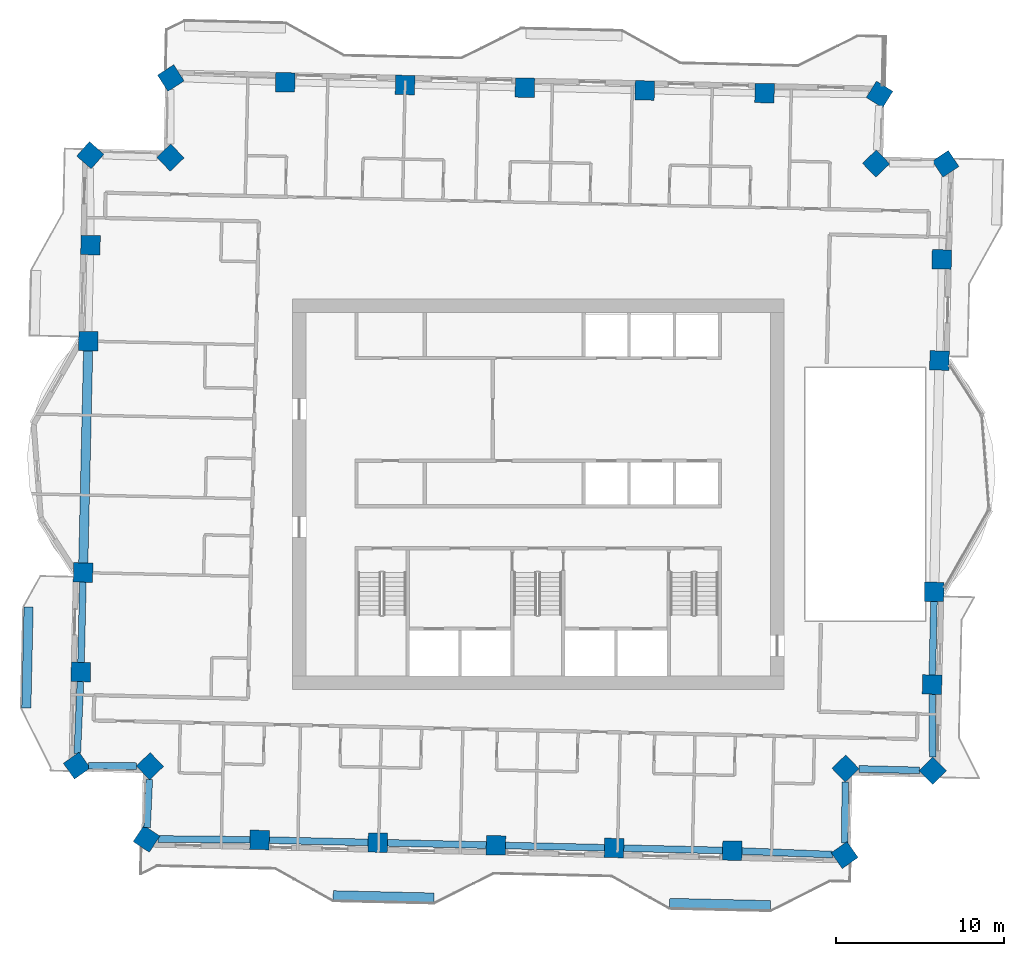
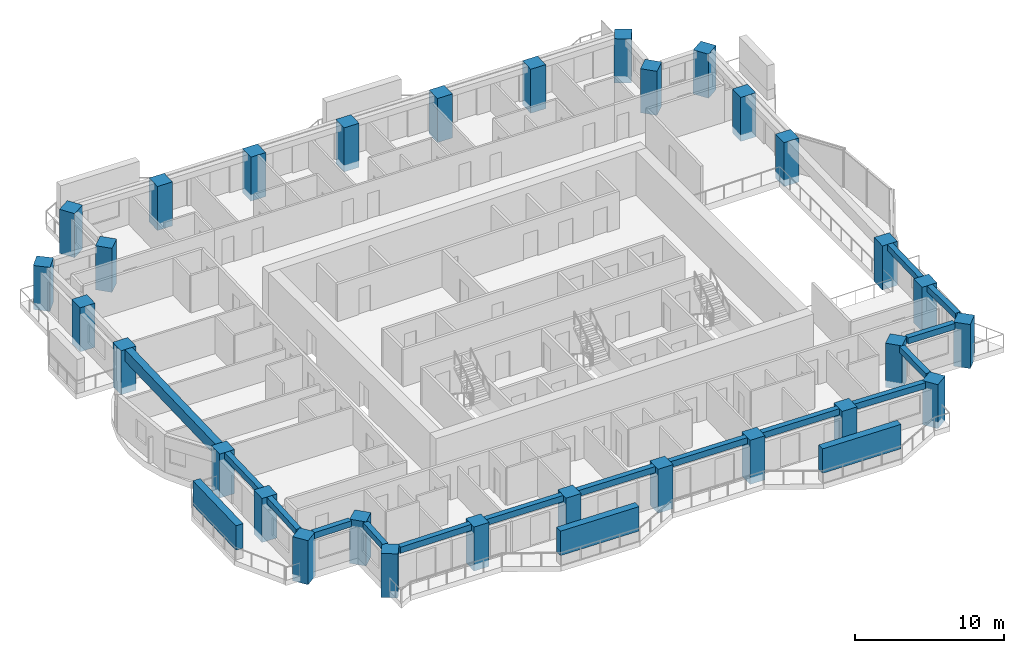
# One storey, part 1 of 16: 30 columns, 15 beams, 3 members.
"""IFC4 building model written with IfcOpenShell, lengths in metres."""

from ifc_helpers import new_model, si_unit, direction, frame, origin, origin_2d, place, context, subcontext, project, spatial, rectangle, extrude, material, material_profile, profile_set, type_object, element, save


model = new_model("IFC4")

# Units and contexts
model_context = context("Model", 3, precision=1e-05, world=origin(), true_north=direction((0.0, 1.0)))
body_context = subcontext(model_context, "Body", "Model", "MODEL_VIEW")
ifc_project = project(units=[si_unit("LENGTHUNIT", "METRE"), si_unit("AREAUNIT", "SQUARE_METRE"), si_unit("VOLUMEUNIT", "CUBIC_METRE"), si_unit("PLANEANGLEUNIT", "RADIAN"), si_unit("MASSUNIT", "GRAM", prefix="KILO")], contexts=[model_context])

# Site, building, storey
site_placement = place(None, origin())
site = spatial("IfcSite", under=ifc_project, at=site_placement, CompositionType="ELEMENT")
building_placement = place(site_placement, origin())
building = spatial("IfcBuilding", under=site, at=building_placement, Name="Mangrove Gate Tower", CompositionType="ELEMENT")
storey_placement = place(building_placement, frame((0.0, 0.0, 197.89990234375)))
storey = spatial("IfcBuildingStorey", under=building, at=storey_placement, Name="L50", CompositionType="ELEMENT", Elevation=197.89990234375)

# Columns
ifc_material_1 = material(Name="Concrete C60/75", Category="concrete")
ifc_material_profile_1 = material_profile(ifc_material_1, rectangle(XDim=1.14990234375, YDim=1.14990234375, at=origin_2d()))
ifc_profile_set_1 = profile_set([ifc_material_profile_1], Name="Concrete C60/75")
column_type = type_object("IfcColumnType", Name="Column RC 1150x1150 C60/75", PredefinedType="COLUMN", material=ifc_profile_set_1)
for number, where, z_axis, x_axis, name in (
    (1, (-27.046142578125, -4.650146484375, -0.5498046875), (0.0, 0.0, 1.0), (-0.02268213383, -0.999742727308, 0.0), "Column L50 W05"),
    (2, (-27.18017578125, -10.56005859375, -0.5498046875), (0.0, 0.0, 1.0), (-0.022750219004, -0.999741180274, 0.0), "Column L50 W06"),
    (3, (-27.4208984375, -16.125244140625, -0.5498046875), (0.0, 0.0, 1.0), (0.578578159923, -0.815626944663, 0.0), "Column L50 W07"),
    (4, (-23.0751953125, -16.16064453125, -0.5498046875), (0.0, 0.0, 1.0), (0.690854032309, -0.722994264183, 0.0), "Column L50 W08"),
    (5, (-23.27490234375, -20.476806640625, -0.5498046875), (0.0, 0.0, 1.0), (0.835228982997, -0.549902305834, 0.0), "Column L50 S01"),
    (6, (-16.554931640625, -20.541259765625, -0.5498046875), (0.0, 0.0, 1.0), (0.999742166043, -0.022706858776, 0.0), "Column L50 S02"),
    (7, (-9.532958984375, -20.701171875, -0.5498046875), (0.0, 0.0, 1.0), (0.999742129581, -0.022708464065, 0.0), "Column L50 S03"),
    (8, (-2.510986328125, -20.860107421875, -0.5498046875), (0.0, 0.0, 1.0), (0.999743742918, -0.022637325283, 0.0), "Column L50 S04"),
    (9, (4.510986328125, -21.01904296875, -0.5498046875), (0.0, 0.0, 1.0), (0.999742129581, -0.022708464065, 0.0), "Column L50 S05"),
    (10, (11.532958984375, -21.17919921875, -0.5498046875), (0.0, 0.0, 1.0), (0.999742166043, -0.022706858776, 0.0), "Column L50 S06"),
    (11, (18.21142578125, -21.443115234375, -0.5498046875), (0.0, 0.0, 1.0), (0.817005906944, 0.576629298612, 0.0), "Column L50 S07"),
    (12, (18.263671875, -16.29833984375, -0.5498046875), (0.0, 0.0, 1.0), (0.722904645442, 0.690947808158, 0.0), "Column L50 E01"),
    (13, (23.44970703125, -16.427978515625, -0.5498046875), (0.0, 0.0, 1.0), (0.702472771276, 0.711710619294, 0.0), "Column L50 E02"),
    (14, (23.4091796875, -11.307861328125, -0.5498046875), (0.0, 0.0, 1.0), (0.022678138054, 0.999742817956, 0.0), "Column L50 E03"),
    (15, (23.5341796875, -5.7978515625, -0.5498046875), (0.0, 0.0, 1.0), (0.022686024913, 0.999742639019, 0.0), "Column L50 E04"),
    (16, (23.84619140625, 7.949951171875, -0.5498046875), (0.0, 0.0, 1.0), (0.022719107826, 0.999741887759, 0.0), "Column L50 E05"),
    (17, (23.983154296875, 13.9599609375, -0.5498046875), (0.0, 0.0, 1.0), (0.022704398496, 0.99974222192, 0.0), "Column L50 E06"),
    (18, (24.21533203125, 19.639404296875, -0.5498046875), (0.0, 0.0, 1.0), (-0.553976303186, 0.832532435109, 0.0), "Column L50 E07"),
    (19, (20.079345703125, 19.65576171875, -0.5498046875), (0.0, 0.0, 1.0), (-0.69093208713, 0.722919671176, 0.0), "Column L50 E08"),
    (20, (20.286865234375, 23.763427734375, -0.5498046875), (0.0, 0.0, 1.0), (-0.849671924518, 0.527311692157, 0.0), "Column L50 N01"),
    (21, (13.454833984375, 23.839111328125, -0.5498046875), (0.0, 0.0, 1.0), (-0.999741400599, 0.022740534932, 0.0), "Column L50 N02"),
    (22, (6.3330078125, 24.001220703125, -0.5498046875), (0.0, 0.0, 1.0), (-0.999742993665, 0.022670390785, 0.0), "Column L50 N03"),
    (23, (-0.7890625, 24.162109375, -0.5498046875), (0.0, 0.0, 1.0), (-0.999742993665, 0.022670390785, 0.0), "Column L50 N04"),
    (24, (-7.9111328125, 24.32421875, -0.5498046875), (0.0, 0.0, 1.0), (-0.999742993665, 0.022670390785, 0.0), "Column L50 N05"),
    (25, (-15.032958984375, 24.485107421875, -0.5498046875), (0.0, 0.0, 1.0), (-0.999742993665, 0.022670390785, 0.0), "Column L50 N06"),
    (26, (-21.83154296875, 24.738037109375, -0.5498046875), (0.0, 0.0, 1.0), (-0.841786903105, -0.539809975603, 0.0), "Column L50 N07"),
    (27, (-21.853759765625, 20.00732421875, -0.5498046875), (0.0, 0.0, 1.0), (-0.722980880026, -0.690868038859, 0.0), "Column L50 W01"),
    (28, (-26.618408203125, 20.152099609375, -0.5498046875), (0.0, 0.0, 1.0), (-0.660570488369, -0.750764030769, 0.0), "Column L50 W02"),
    (29, (-26.605224609375, 14.807861328125, -0.5498046875), (0.0, 0.0, 1.0), (-0.022671699445, -0.999742963988, 0.0), "Column L50 W03"),
    (30, (-26.734130859375, 9.097900390625, -0.5498046875), (0.0, 0.0, 1.0), (-0.022658386004, -0.999743265816, 0.0), "Column L50 W04"),
):
    element("IfcColumn", number, at=place(storey_placement, frame(where, z_axis=z_axis, x_axis=x_axis)), inside=storey, type_object=column_type, Name=name, PredefinedType="COLUMN", context=body_context, shape_type="SweptSolid", body=[
        extrude(rectangle(XDim=1.14990234375, YDim=1.14990234375, at=origin_2d()), origin(), (0.0, 0.0, 1.0), 3.599853515625),
    ])

# Members
ifc_material_2 = material(Name="Planting on aluminium trellis", Category="aluminium")
ifc_material_profile_2 = material_profile(ifc_material_2, rectangle(XDim=0.550048828125, YDim=2.0, at=origin_2d()))
ifc_profile_set_2 = profile_set([ifc_material_profile_2], Name="Planting on aluminium trellis")
member_type = type_object("IfcMemberType", Name="Balcony greenery screen 550x2000", PredefinedType="USERDEFINED", material=ifc_profile_set_2)
member_1_placement = place(storey_placement, frame((-30.419921875, -12.699951171875, 1.800048828125), z_axis=(0.022662255828, 0.999743178102, 0.0), x_axis=(-0.999743178102, 0.022662255828, 0.0)))
element("IfcMember", 31, at=member_1_placement, inside=storey, type_object=member_type, Name="GREEN SCREEN L50 W1.1", ObjectType="PLANTING", PredefinedType="USERDEFINED", context=body_context, shape_type="SweptSolid", body=[
    extrude(rectangle(XDim=0.550048828125, YDim=2.0, at=origin_2d()), origin(), (0.0, 0.0, 1.0), 6.00048828125),
])
member_2_placement = place(storey_placement, frame((-12.180908203125, -23.8310546875, 1.800048828125), z_axis=(0.999739371644, -0.02282955947, 0.0), x_axis=(0.02282955947, 0.999739371644, 0.0)))
element("IfcMember", 32, at=member_2_placement, inside=storey, type_object=member_type, Name="GREEN SCREEN L50 S0.1", ObjectType="PLANTING", PredefinedType="USERDEFINED", context=body_context, shape_type="SweptSolid", body=[
    extrude(rectangle(XDim=0.550048828125, YDim=2.0, at=origin_2d()), origin(), (0.0, 0.0, 1.0), 5.999267578125),
])
member_3_placement = place(storey_placement, frame((7.81396484375, -24.284912109375, 1.800048828125), z_axis=(0.999743094499, -0.022665943652, 0.0), x_axis=(0.022665943652, 0.999743094499, 0.0)))
element("IfcMember", 33, at=member_3_placement, inside=storey, type_object=member_type, Name="GREEN SCREEN L50 S1.1", ObjectType="PLANTING", PredefinedType="USERDEFINED", context=body_context, shape_type="SweptSolid", body=[
    extrude(rectangle(XDim=0.550048828125, YDim=2.0, at=origin_2d()), origin(), (0.0, 0.0, 1.0), 5.99951171875),
])

# Beams
ifc_material_3 = material(Name="Concrete C50/60", Category="concrete")
ifc_material_profile_3 = material_profile(ifc_material_3, rectangle(XDim=0.39990234375, YDim=0.5, at=origin_2d()))
ifc_profile_set_3 = profile_set([ifc_material_profile_3], Name="Concrete C50/60")
beam_type_1 = type_object("IfcBeamType", Name="Edge beam RC 400x500 C50/60", PredefinedType="BEAM", material=ifc_profile_set_3)
beam_1_placement = place(storey_placement, frame((-27.05908203125, -5.224853515625, 2.800048828125), z_axis=(-0.022714417043, -0.999741994346, 0.0), x_axis=(0.999741994346, -0.022714417043, 0.0)))
element("IfcBeam", 34, at=beam_1_placement, inside=storey, type_object=beam_type_1, Name="Edge beam L50 00", PredefinedType="BEAM", context=body_context, shape_type="SweptSolid", body=[
    extrude(rectangle(XDim=0.39990234375, YDim=0.5, at=origin_2d()), origin(), (0.0, 0.0, 1.0), 4.761474609375),
])
beam_2_placement = place(storey_placement, frame((-27.205078125, -11.134765625, 2.800048828125), z_axis=(-0.043253492275, -0.999064129776, 0.0), x_axis=(0.999064129776, -0.043253492275, 0.0)))
element("IfcBeam", 35, at=beam_2_placement, inside=storey, type_object=beam_type_1, Name="Edge beam L50 01", PredefinedType="BEAM", context=body_context, shape_type="SweptSolid", body=[
    extrude(rectangle(XDim=0.39990234375, YDim=0.5, at=origin_2d()), origin(), (0.0, 0.0, 1.0), 4.26708984375),
])
beam_3_placement = place(storey_placement, frame((-26.7119140625, -16.131103515625, 2.800048828125), z_axis=(0.999966541492, -0.008180213678, 0.0), x_axis=(0.008180213678, 0.999966541492, 0.0)))
element("IfcBeam", 36, at=beam_3_placement, inside=storey, type_object=beam_type_1, Name="Edge beam L50 02", PredefinedType="BEAM", context=body_context, shape_type="SweptSolid", body=[
    extrude(rectangle(XDim=0.39990234375, YDim=0.5, at=origin_2d()), origin(), (0.0, 0.0, 1.0), 2.835205078125),
])
beam_4_placement = place(storey_placement, frame((-23.112060546875, -16.95458984375, 2.800048828125), z_axis=(-0.046144122159, -0.998934792662, 0.0), x_axis=(0.998934792662, -0.046144122159, 0.0)))
element("IfcBeam", 37, at=beam_4_placement, inside=storey, type_object=beam_type_1, Name="Edge beam L50 03", PredefinedType="BEAM", context=body_context, shape_type="SweptSolid", body=[
    extrude(rectangle(XDim=0.39990234375, YDim=0.5, at=origin_2d()), origin(), (0.0, 0.0, 1.0), 2.85693359375),
])
beam_5_placement = place(storey_placement, frame((-22.590576171875, -20.4833984375, 2.800048828125), z_axis=(0.99995423302, -0.009567228769, 0.0), x_axis=(0.009567228769, 0.99995423302, 0.0)))
element("IfcBeam", 38, at=beam_5_placement, inside=storey, type_object=beam_type_1, Name="Edge beam L50 04", PredefinedType="BEAM", context=body_context, shape_type="SweptSolid", body=[
    extrude(rectangle(XDim=0.39990234375, YDim=0.5, at=origin_2d()), origin(), (0.0, 0.0, 1.0), 5.4609375),
])
for number, where, z_axis, x_axis, name in (
    (39, (-15.97998046875, -20.55419921875, 2.800048828125), (0.999740546409, -0.022778056687, 0.0), (0.022778056687, 0.999740546409, 0.0), "Edge beam L50 05"),
    (40, (-8.9580078125, -20.714111328125, 2.800048828125), (0.999743378275, -0.022653423464, 0.0), (0.022653423464, 0.999743378275, 0.0), "Edge beam L50 06"),
):
    element("IfcBeam", number, at=place(storey_placement, frame(where, z_axis=z_axis, x_axis=x_axis)), inside=storey, type_object=beam_type_1, Name=name, PredefinedType="BEAM", context=body_context, shape_type="SweptSolid", body=[
        extrude(rectangle(XDim=0.39990234375, YDim=0.5, at=origin_2d()), origin(), (0.0, 0.0, 1.0), 5.87353515625),
    ])
for number, where, z_axis, x_axis, name in (
    (41, (-1.93603515625, -20.873046875, 2.800048828125), (0.999743399605, -0.022652482135, 0.0), (0.022652482135, 0.999743399605, 0.0), "Edge beam L50 07"),
    (42, (5.0859375, -21.0322265625, 2.800048828125), (0.999740567973, -0.022777110184, 0.0), (0.022777110184, 0.999740567973, 0.0), "Edge beam L50 08"),
):
    element("IfcBeam", number, at=place(storey_placement, frame(where, z_axis=z_axis, x_axis=x_axis)), inside=storey, type_object=beam_type_1, Name=name, PredefinedType="BEAM", context=body_context, shape_type="SweptSolid", body=[
        extrude(rectangle(XDim=0.39990234375, YDim=0.5, at=origin_2d()), origin(), (0.0, 0.0, 1.0), 5.873779296875),
    ])
beam_6_placement = place(storey_placement, frame((12.107666015625, -21.201904296875, 2.800048828125), z_axis=(0.999219752708, -0.039495389572, 0.0), x_axis=(0.039495389572, 0.999219752708, 0.0)))
element("IfcBeam", 43, at=beam_6_placement, inside=storey, type_object=beam_type_1, Name="Edge beam L50 09", PredefinedType="BEAM", context=body_context, shape_type="SweptSolid", body=[
    extrude(rectangle(XDim=0.39990234375, YDim=0.5, at=origin_2d()), origin(), (0.0, 0.0, 1.0), 5.384033203125),
])
beam_7_placement = place(storey_placement, frame((18.21875, -20.734375, 2.800048828125), z_axis=(0.010147326996, 0.999948514552, 0.0), x_axis=(-0.999948514552, 0.010147326996, 0.0)))
element("IfcBeam", 44, at=beam_7_placement, inside=storey, type_object=beam_type_1, Name="Edge beam L50 10", PredefinedType="BEAM", context=body_context, shape_type="SweptSolid", body=[
    extrude(rectangle(XDim=0.39990234375, YDim=0.5, at=origin_2d()), origin(), (0.0, 0.0, 1.0), 3.633056640625),
])
beam_8_placement = place(storey_placement, frame((19.07470703125, -16.318603515625, 2.800048828125), z_axis=(0.999686412601, -0.025041494782, 0.0), x_axis=(0.025041494782, 0.999686412601, 0.0)))
element("IfcBeam", 45, at=beam_8_placement, inside=storey, type_object=beam_type_1, Name="Edge beam L50 11", PredefinedType="BEAM", context=body_context, shape_type="SweptSolid", body=[
    extrude(rectangle(XDim=0.39990234375, YDim=0.5, at=origin_2d()), origin(), (0.0, 0.0, 1.0), 3.587890625),
])
beam_9_placement = place(storey_placement, frame((23.443359375, -15.615966796875, 2.800048828125), z_axis=(-0.007913938832, 0.999968684296, 0.0), x_axis=(-0.999968684296, -0.007913938832, 0.0)))
element("IfcBeam", 46, at=beam_9_placement, inside=storey, type_object=beam_type_1, Name="Edge beam L50 12", PredefinedType="BEAM", context=body_context, shape_type="SweptSolid", body=[
    extrude(rectangle(XDim=0.39990234375, YDim=0.5, at=origin_2d()), origin(), (0.0, 0.0, 1.0), 3.732666015625),
])
beam_10_placement = place(storey_placement, frame((23.422119140625, -10.733154296875, 2.800048828125), z_axis=(0.022670543731, 0.999742990196, 0.0), x_axis=(-0.999742990196, 0.022670543731, 0.0)))
element("IfcBeam", 47, at=beam_10_placement, inside=storey, type_object=beam_type_1, Name="Edge beam L50 13", PredefinedType="BEAM", context=body_context, shape_type="SweptSolid", body=[
    extrude(rectangle(XDim=0.39990234375, YDim=0.5, at=origin_2d()), origin(), (0.0, 0.0, 1.0), 4.361572265625),
])
ifc_material_4 = material(Name="Concrete C50/60", Category="concrete")
ifc_material_profile_4 = material_profile(ifc_material_4, rectangle(XDim=0.550048828125, YDim=0.949951171875, at=origin_2d()))
ifc_profile_set_4 = profile_set([ifc_material_profile_4], Name="Concrete C50/60")
beam_type_2 = type_object("IfcBeamType", Name="Edge beam RC 550x950 C50/60", PredefinedType="BEAM", material=ifc_profile_set_4)
beam_11_placement = place(storey_placement, frame((-26.747314453125, 8.523193359375, 2.5751953125), z_axis=(-0.022686638645, -0.999742625093, 0.0), x_axis=(0.999742625093, -0.022686638645, 0.0)))
element("IfcBeam", 48, at=beam_11_placement, inside=storey, type_object=beam_type_2, Name="Edge beam L50 29", PredefinedType="BEAM", context=body_context, shape_type="SweptSolid", body=[
    extrude(rectangle(XDim=0.550048828125, YDim=0.949951171875, at=origin_2d()), origin(), (0.0, 0.0, 1.0), 12.6015625),
])

save(model, "model.ifc")
